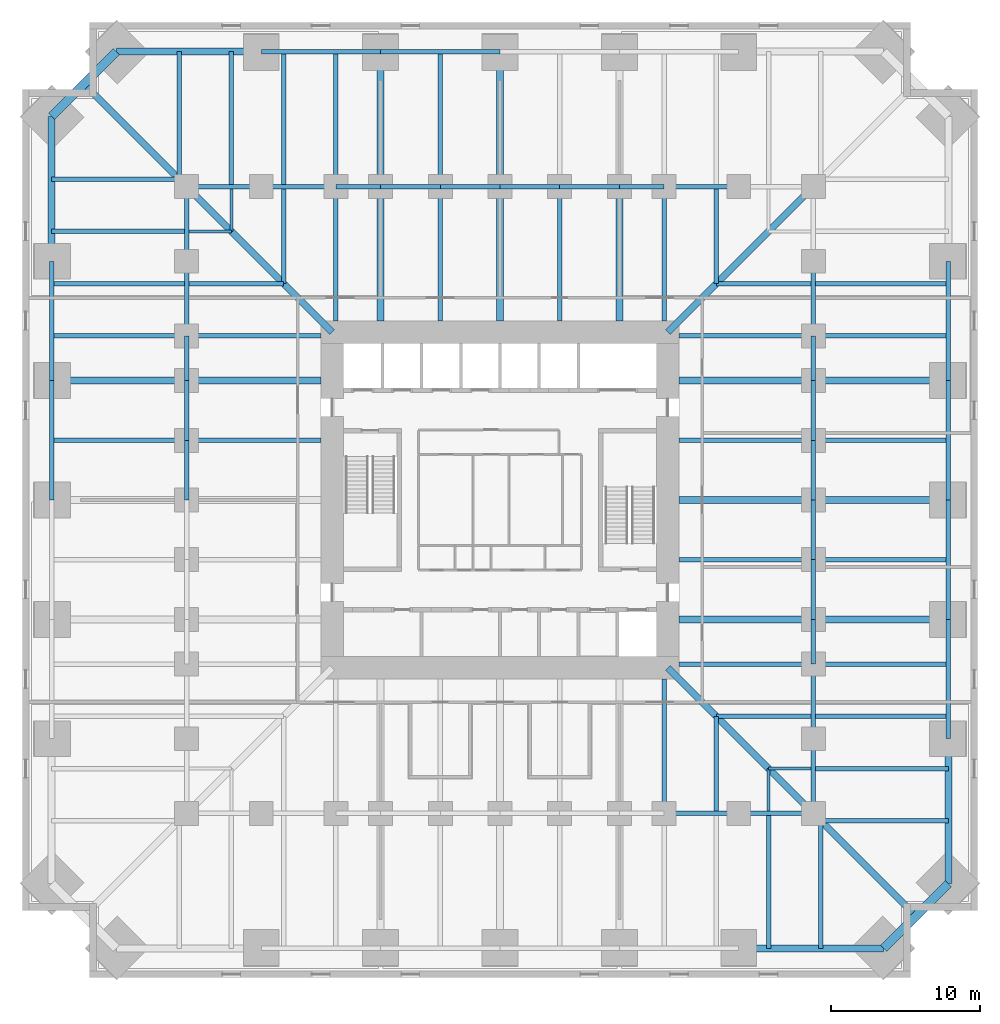
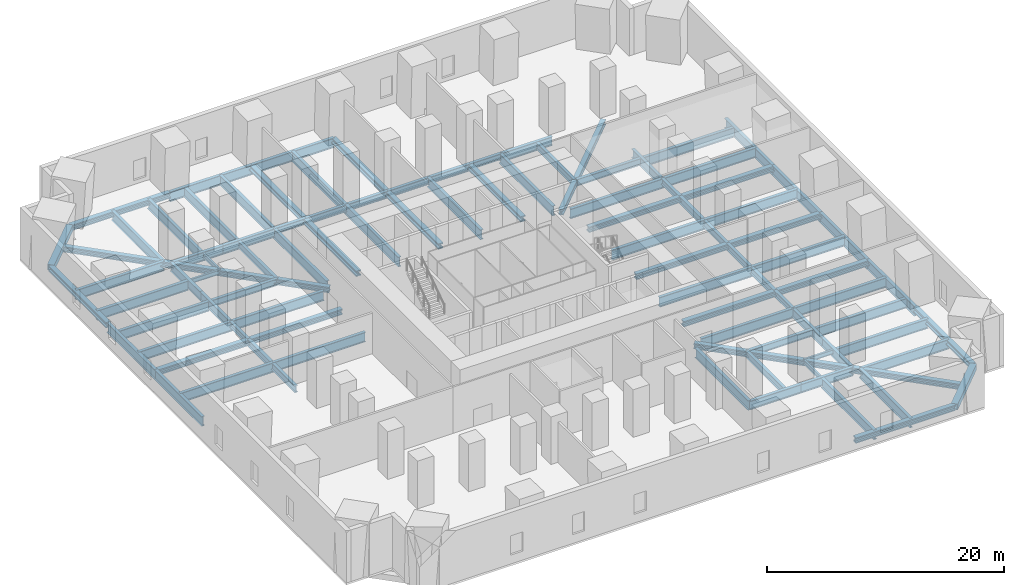
# One storey, part 2 of 8: 98 beams.
"""IFC4 building model written with IfcOpenShell, lengths in metres."""

from ifc_helpers import new_model, si_unit, direction, frame, origin, origin_2d, place, context, subcontext, project, spatial, hollow_rectangle, i_section, extrude, material, material_profile, profile_set, type_object, element, save


model = new_model("IFC4")

# Units and contexts
model_context = context("Model", 3, precision=1e-05, world=origin(), true_north=direction((0.0, 1.0)))
body_context = subcontext(model_context, "Body", "Model", "MODEL_VIEW")
ifc_project = project(units=[si_unit("LENGTHUNIT", "METRE"), si_unit("AREAUNIT", "SQUARE_METRE"), si_unit("VOLUMEUNIT", "CUBIC_METRE"), si_unit("PLANEANGLEUNIT", "RADIAN"), si_unit("MASSUNIT", "GRAM", prefix="KILO")], contexts=[model_context])

# Site, building, storey
site_placement = place(None, origin())
site = spatial("IfcSite", under=ifc_project, at=site_placement, CompositionType="ELEMENT")
building_placement = place(site_placement, origin())
building = spatial("IfcBuilding", under=site, at=building_placement, Name="Peilmerk Tower", CompositionType="ELEMENT")
storey_placement = place(building_placement, frame((0.0, 0.0, 21.0)))
storey = spatial("IfcBuildingStorey", under=building, at=storey_placement, Name="L04", CompositionType="ELEMENT", Elevation=21.0)

# Beams
ifc_material_1 = material(Name="Steel S355", Category="steel")
ifc_material_profile_1 = material_profile(ifc_material_1, i_section(OverallWidth=0.302001953125, OverallDepth=1.008056640625, WebThickness=0.02099609375, FlangeThickness=0.0400390625, at=origin_2d()), Name="HEM 1000")
ifc_profile_set_1 = profile_set([ifc_material_profile_1], Name="Steel S355")
beam_type_1 = type_object("IfcBeamType", Name="B1 HEM 1000 edge beam", PredefinedType="SPANDREL", material=ifc_profile_set_1)
for number, where, z_axis, x_axis, name in (
    (1, (0.0, 30.050048828125, -0.7041015625), (-1.0, 0.0, 0.0), (0.0, -1.0, 0.0), "Edge beam L04"),
    (2, (-8.0, 30.050048828125, -0.7041015625), (-1.0, 0.0, 0.0), (0.0, -1.0, 0.0), "Edge beam L04"),
    (3, (30.050048828125, -16.0, -0.7041015625), (0.0, 1.0, 0.0), (-1.0, 0.0, 0.0), "Edge beam L04"),
    (4, (30.050048828125, -8.0, -0.7041015625), (0.0, 1.0, 0.0), (-1.0, 0.0, 0.0), "Edge beam L04"),
    (5, (30.050048828125, 0.0, -0.7041015625), (0.0, 1.0, 0.0), (-1.0, 0.0, 0.0), "Edge beam L04"),
    (6, (30.050048828125, 8.0, -0.7041015625), (0.0, 1.0, 0.0), (-1.0, 0.0, 0.0), "Edge beam L04"),
    (7, (-30.050048828125, 16.0, -0.7041015625), (0.0, -1.0, 0.0), (1.0, 0.0, 0.0), "Edge beam L04"),
    (8, (-30.050048828125, 8.0, -0.7041015625), (0.0, -1.0, 0.0), (1.0, 0.0, 0.0), "Edge beam L04"),
):
    element("IfcBeam", number, at=place(storey_placement, frame(where, z_axis=z_axis, x_axis=x_axis)), inside=storey, type_object=beam_type_1, Name=name, PredefinedType="SPANDREL", context=body_context, shape_type="SweptSolid", body=[
        extrude(i_section(OverallWidth=0.302001953125, OverallDepth=1.008056640625, WebThickness=0.02099609375, FlangeThickness=0.0400390625, at=origin_2d()), origin(), (0.0, 0.0, 1.0), 8.0),
    ])
ifc_material_profile_2 = material_profile(ifc_material_1, i_section(OverallWidth=0.300048828125, OverallDepth=0.989990234375, WebThickness=0.0166015625, FlangeThickness=0.031005859375, at=origin_2d()), Name="HEA 1000")
ifc_profile_set_2 = profile_set([ifc_material_profile_2], Name="Steel S355")
beam_type_2 = type_object("IfcBeamType", Name="B14 HEA 1000 floor girder", PredefinedType="BEAM", material=ifc_profile_set_2)
for number, where, z_axis, x_axis, name in (
    (9, (21.15087890625, 14.5, -0.695068359375), (1.0, 0.0, 0.0), (0.0, 1.0, 0.0), "Floor beam L04"),
    (10, (21.15087890625, -14.5, -0.695068359375), (1.0, 0.0, 0.0), (0.0, 1.0, 0.0), "Floor beam L04"),
    (11, (18.0, -21.15087890625, -0.695068359375), (0.0, -1.0, 0.0), (1.0, 0.0, 0.0), "Floor beam L04"),
    (12, (21.15087890625, -18.0, -0.695068359375), (1.0, 0.0, 0.0), (0.0, 1.0, 0.0), "Floor beam L04"),
):
    element("IfcBeam", number, at=place(storey_placement, frame(where, z_axis=z_axis, x_axis=x_axis)), inside=storey, type_object=beam_type_2, Name=name, PredefinedType="BEAM", context=body_context, shape_type="SweptSolid", body=[
        extrude(i_section(OverallWidth=0.300048828125, OverallDepth=0.989990234375, WebThickness=0.0166015625, FlangeThickness=0.031005859375, at=origin_2d()), origin(), (0.0, 0.0, 1.0), 8.899169921875),
    ])
for number, where, z_axis, x_axis, name in (
    (13, (21.5, -21.5, -0.695068359375), (0.0, -1.0, 0.0), (1.0, 0.0, 0.0), "Floor beam L04"),
    (14, (21.5, -21.5, -0.695068359375), (1.0, 0.0, 0.0), (0.0, 1.0, 0.0), "Floor beam L04"),
):
    element("IfcBeam", number, at=place(storey_placement, frame(where, z_axis=z_axis, x_axis=x_axis)), inside=storey, type_object=beam_type_2, Name=name, PredefinedType="BEAM", context=body_context, shape_type="SweptSolid", body=[
        extrude(i_section(OverallWidth=0.300048828125, OverallDepth=0.989990234375, WebThickness=0.0166015625, FlangeThickness=0.031005859375, at=origin_2d()), origin(), (0.0, 0.0, 1.0), 8.550048828125),
    ])
for number, where, z_axis, x_axis, name in (
    (15, (-14.5, 21.15087890625, -0.695068359375), (0.0, 1.0, 0.0), (-1.0, 0.0, 0.0), "Floor beam L04"),
    (16, (-21.15087890625, 14.5, -0.695068359375), (-1.0, 0.0, 0.0), (0.0, -1.0, 0.0), "Floor beam L04"),
    (17, (-18.0, 21.15087890625, -0.695068359375), (0.0, 1.0, 0.0), (-1.0, 0.0, 0.0), "Floor beam L04"),
    (18, (-21.15087890625, 18.0, -0.695068359375), (-1.0, 0.0, 0.0), (0.0, -1.0, 0.0), "Floor beam L04"),
):
    element("IfcBeam", number, at=place(storey_placement, frame(where, z_axis=z_axis, x_axis=x_axis)), inside=storey, type_object=beam_type_2, Name=name, PredefinedType="BEAM", context=body_context, shape_type="SweptSolid", body=[
        extrude(i_section(OverallWidth=0.300048828125, OverallDepth=0.989990234375, WebThickness=0.0166015625, FlangeThickness=0.031005859375, at=origin_2d()), origin(), (0.0, 0.0, 1.0), 8.899169921875),
    ])
for number, where, z_axis, x_axis, name in (
    (19, (-21.5, 21.5, -0.695068359375), (0.0, 1.0, 0.0), (-1.0, 0.0, 0.0), "Floor beam L04"),
    (20, (-21.5, 21.5, -0.695068359375), (-1.0, 0.0, 0.0), (0.0, -1.0, 0.0), "Floor beam L04"),
):
    element("IfcBeam", number, at=place(storey_placement, frame(where, z_axis=z_axis, x_axis=x_axis)), inside=storey, type_object=beam_type_2, Name=name, PredefinedType="BEAM", context=body_context, shape_type="SweptSolid", body=[
        extrude(i_section(OverallWidth=0.300048828125, OverallDepth=0.989990234375, WebThickness=0.0166015625, FlangeThickness=0.031005859375, at=origin_2d()), origin(), (0.0, 0.0, 1.0), 8.550048828125),
    ])
ifc_material_profile_3 = material_profile(ifc_material_1, i_section(OverallWidth=0.300048828125, OverallDepth=0.68994140625, WebThickness=0.014404296875, FlangeThickness=0.027099609375, at=origin_2d()), Name="HEA 700")
ifc_profile_set_3 = profile_set([ifc_material_profile_3], Name="Steel S355")
beam_type_3 = type_object("IfcBeamType", Name="B16 HEA 700 floor beam", PredefinedType="BEAM", material=ifc_profile_set_3)
for number, where, z_axis, x_axis, name in (
    (21, (14.5, 14.5, -0.544921875), (0.0, 1.0, 0.0), (-1.0, 0.0, 0.0), "Floor beam L04"),
    (22, (14.5, 14.5, -0.544921875), (1.0, 0.0, 0.0), (0.0, 1.0, 0.0), "Floor beam L04"),
    (23, (14.5, -14.5, -0.544921875), (0.0, -1.0, 0.0), (1.0, 0.0, 0.0), "Floor beam L04"),
    (24, (14.5, -14.5, -0.544921875), (1.0, 0.0, 0.0), (0.0, 1.0, 0.0), "Floor beam L04"),
    (25, (-14.5, 14.5, -0.544921875), (0.0, 1.0, 0.0), (-1.0, 0.0, 0.0), "Floor beam L04"),
    (26, (-14.5, 14.5, -0.544921875), (-1.0, 0.0, 0.0), (0.0, -1.0, 0.0), "Floor beam L04"),
):
    element("IfcBeam", number, at=place(storey_placement, frame(where, z_axis=z_axis, x_axis=x_axis)), inside=storey, type_object=beam_type_3, Name=name, PredefinedType="BEAM", context=body_context, shape_type="SweptSolid", body=[
        extrude(i_section(OverallWidth=0.300048828125, OverallDepth=0.68994140625, WebThickness=0.014404296875, FlangeThickness=0.027099609375, at=origin_2d()), origin(), (0.0, 0.0, 1.0), 6.34912109375),
    ])
ifc_material_2 = material(Name="Steel S460", Category="steel")
ifc_material_profile_4 = material_profile(ifc_material_2, i_section(OverallWidth=0.4541015625, OverallDepth=0.569091796875, WebThickness=0.077880859375, FlangeThickness=0.125, at=origin_2d()), Name="HD 400x1086")
ifc_profile_set_4 = profile_set([ifc_material_profile_4], Name="Steel S460")
beam_type_4 = type_object("IfcBeamType", Name="B17 HD 400x1086 edge beam", PredefinedType="SPANDREL", material=ifc_profile_set_4)
for number, where, z_axis, x_axis, name in (
    (27, (-16.0, 30.050048828125, -0.484619140625), (-1.0, 0.0, 0.0), (0.0, -1.0, 0.0), "Edge beam L04"),
    (28, (30.050048828125, -25.699951171875, -0.484619140625), (0.0, 1.0, 0.0), (-1.0, 0.0, 0.0), "Edge beam L04"),
    (29, (16.0, -30.050048828125, -0.484619140625), (1.0, 0.0, 0.0), (0.0, 1.0, 0.0), "Edge beam L04"),
    (30, (-30.050048828125, 25.699951171875, -0.484619140625), (0.0, -1.0, 0.0), (1.0, 0.0, 0.0), "Edge beam L04"),
):
    element("IfcBeam", number, at=place(storey_placement, frame(where, z_axis=z_axis, x_axis=x_axis)), inside=storey, type_object=beam_type_4, Name=name, PredefinedType="SPANDREL", context=body_context, shape_type="SweptSolid", body=[
        extrude(i_section(OverallWidth=0.4541015625, OverallDepth=0.569091796875, WebThickness=0.077880859375, FlangeThickness=0.125, at=origin_2d()), origin(), (0.0, 0.0, 1.0), 9.699951171875),
    ])
ifc_material_profile_5 = material_profile(ifc_material_1, i_section(OverallWidth=0.302001953125, OverallDepth=0.909912109375, WebThickness=0.02099609375, FlangeThickness=0.0400390625, at=origin_2d()), Name="HEM 900")
ifc_profile_set_5 = profile_set([ifc_material_profile_5], Name="Steel S355")
beam_type_5 = type_object("IfcBeamType", Name="B18 HEM 900 ring girder", PredefinedType="BEAM", material=ifc_profile_set_5)
for number, where, z_axis, x_axis, name in (
    (31, (16.0, 21.0, -0.655029296875), (-1.0, 0.0, 0.0), (0.0, -1.0, 0.0), "Ring girder L04"),
    (32, (-11.0, 21.0, -0.655029296875), (-1.0, 0.0, 0.0), (0.0, -1.0, 0.0), "Ring girder L04"),
    (33, (-16.0, 21.0, -0.655029296875), (-1.0, 0.0, 0.0), (0.0, -1.0, 0.0), "Ring girder L04"),
    (34, (21.0, -21.0, -0.655029296875), (0.0, 1.0, 0.0), (-1.0, 0.0, 0.0), "Ring girder L04"),
    (35, (21.0, -16.0, -0.655029296875), (0.0, 1.0, 0.0), (-1.0, 0.0, 0.0), "Ring girder L04"),
    (36, (21.0, 11.0, -0.655029296875), (0.0, 1.0, 0.0), (-1.0, 0.0, 0.0), "Ring girder L04"),
    (37, (11.0, -21.0, -0.655029296875), (1.0, 0.0, 0.0), (0.0, 1.0, 0.0), "Ring girder L04"),
    (38, (16.0, -21.0, -0.655029296875), (1.0, 0.0, 0.0), (0.0, 1.0, 0.0), "Ring girder L04"),
    (39, (-21.0, 21.0, -0.655029296875), (0.0, -1.0, 0.0), (1.0, 0.0, 0.0), "Ring girder L04"),
    (40, (-21.0, 16.0, -0.655029296875), (0.0, -1.0, 0.0), (1.0, 0.0, 0.0), "Ring girder L04"),
):
    element("IfcBeam", number, at=place(storey_placement, frame(where, z_axis=z_axis, x_axis=x_axis)), inside=storey, type_object=beam_type_5, Name=name, PredefinedType="BEAM", context=body_context, shape_type="SweptSolid", body=[
        extrude(i_section(OverallWidth=0.302001953125, OverallDepth=0.909912109375, WebThickness=0.02099609375, FlangeThickness=0.0400390625, at=origin_2d()), origin(), (0.0, 0.0, 1.0), 5.0),
    ])
ifc_material_profile_6 = material_profile(ifc_material_1, i_section(OverallWidth=0.303955078125, OverallDepth=0.716064453125, WebThickness=0.02099609375, FlangeThickness=0.0400390625, at=origin_2d()), Name="HEM 700")
ifc_profile_set_6 = profile_set([ifc_material_profile_6], Name="Steel S355")
beam_type_6 = type_object("IfcBeamType", Name="B19 HEM 700 ring girder", PredefinedType="BEAM", material=ifc_profile_set_6)
for number, where, z_axis, x_axis, name in (
    (41, (8.0, 21.0, -0.55810546875), (-1.0, 0.0, 0.0), (0.0, -1.0, 0.0), "Ring girder L04"),
    (42, (4.0, 21.0, -0.55810546875), (-1.0, 0.0, 0.0), (0.0, -1.0, 0.0), "Ring girder L04"),
    (43, (0.0, 21.0, -0.55810546875), (-1.0, 0.0, 0.0), (0.0, -1.0, 0.0), "Ring girder L04"),
    (44, (-4.0, 21.0, -0.55810546875), (-1.0, 0.0, 0.0), (0.0, -1.0, 0.0), "Ring girder L04"),
    (45, (21.0, -8.0, -0.55810546875), (0.0, 1.0, 0.0), (-1.0, 0.0, 0.0), "Ring girder L04"),
    (46, (21.0, -4.0, -0.55810546875), (0.0, 1.0, 0.0), (-1.0, 0.0, 0.0), "Ring girder L04"),
    (47, (21.0, 0.0, -0.55810546875), (0.0, 1.0, 0.0), (-1.0, 0.0, 0.0), "Ring girder L04"),
    (48, (21.0, 4.0, -0.55810546875), (0.0, 1.0, 0.0), (-1.0, 0.0, 0.0), "Ring girder L04"),
    (49, (-21.0, 8.0, -0.55810546875), (0.0, -1.0, 0.0), (1.0, 0.0, 0.0), "Ring girder L04"),
    (50, (-21.0, 4.0, -0.55810546875), (0.0, -1.0, 0.0), (1.0, 0.0, 0.0), "Ring girder L04"),
):
    element("IfcBeam", number, at=place(storey_placement, frame(where, z_axis=z_axis, x_axis=x_axis)), inside=storey, type_object=beam_type_6, Name=name, PredefinedType="BEAM", context=body_context, shape_type="SweptSolid", body=[
        extrude(i_section(OverallWidth=0.303955078125, OverallDepth=0.716064453125, WebThickness=0.02099609375, FlangeThickness=0.0400390625, at=origin_2d()), origin(), (0.0, 0.0, 1.0), 4.0),
    ])
ifc_material_profile_7 = material_profile(ifc_material_2, hollow_rectangle(XDim=0.60009765625, YDim=0.60009765625, WallThickness=0.06005859375, at=origin_2d()), Name="BOX 600x600x60")
ifc_profile_set_7 = profile_set([ifc_material_profile_7], Name="Steel S460")
beam_type_7 = type_object("IfcBeamType", Name="B20 BOX 600x600x60 notch beam", PredefinedType="SPANDREL", material=ifc_profile_set_7)
for number, where, z_axis, x_axis, name in (
    (51, (30.050048828125, -25.699951171875, -0.5), (-0.707106781187, -0.707106781187, 0.0), (0.707106781187, -0.707106781187, 0.0), "Notch beam L04"),
    (52, (-30.050048828125, 25.699951171875, -0.5), (0.707106781187, 0.707106781187, 0.0), (-0.707106781187, 0.707106781187, 0.0), "Notch beam L04"),
):
    element("IfcBeam", number, at=place(storey_placement, frame(where, z_axis=z_axis, x_axis=x_axis)), inside=storey, type_object=beam_type_7, Name=name, PredefinedType="SPANDREL", context=body_context, shape_type="SweptSolid", body=[
        extrude(hollow_rectangle(XDim=0.60009765625, YDim=0.60009765625, WallThickness=0.06005859375, at=origin_2d()), origin(), (0.0, 0.0, 1.0), 6.15185546875),
    ])
ifc_material_profile_8 = material_profile(ifc_material_1, i_section(OverallWidth=0.18994140625, OverallDepth=0.449951171875, WebThickness=0.009521484375, FlangeThickness=0.0146484375, at=origin_2d()), Name="IPE 450")
ifc_profile_set_8 = profile_set([ifc_material_profile_8], Name="Steel S355")
beam_type_8 = type_object("IfcBeamType", Name="B21 IPE 450 floor beam", PredefinedType="BEAM", material=ifc_profile_set_8)
for number, where, z_axis, x_axis, name in (
    (53, (18.0, -18.0, -0.425048828125), (0.0, -1.0, 0.0), (1.0, 0.0, 0.0), "Floor beam L04"),
    (54, (18.0, -18.0, -0.425048828125), (1.0, 0.0, 0.0), (0.0, 1.0, 0.0), "Floor beam L04"),
    (55, (-18.0, 18.0, -0.425048828125), (0.0, 1.0, 0.0), (-1.0, 0.0, 0.0), "Floor beam L04"),
    (56, (-18.0, 18.0, -0.425048828125), (-1.0, 0.0, 0.0), (0.0, -1.0, 0.0), "Floor beam L04"),
):
    element("IfcBeam", number, at=place(storey_placement, frame(where, z_axis=z_axis, x_axis=x_axis)), inside=storey, type_object=beam_type_8, Name=name, PredefinedType="BEAM", context=body_context, shape_type="SweptSolid", body=[
        extrude(i_section(OverallWidth=0.18994140625, OverallDepth=0.449951171875, WebThickness=0.009521484375, FlangeThickness=0.0146484375, at=origin_2d()), origin(), (0.0, 0.0, 1.0), 2.84912109375),
    ])
ifc_material_profile_9 = material_profile(ifc_material_1, i_section(OverallWidth=0.300048828125, OverallDepth=1.0, WebThickness=0.01904296875, FlangeThickness=0.035888671875, at=origin_2d()), Name="HEB 1000")
ifc_profile_set_9 = profile_set([ifc_material_profile_9], Name="Steel S355")
beam_type_9 = type_object("IfcBeamType", Name="B5 HEB 1000 floor girder", PredefinedType="BEAM", material=ifc_profile_set_9)
for number, where, z_axis, x_axis, name in (
    (57, (11.0, 12.0, -0.699951171875), (0.0, 1.0, 0.0), (-1.0, 0.0, 0.0), "Floor beam L04"),
    (58, (4.0, 12.0, -0.699951171875), (0.0, 1.0, 0.0), (-1.0, 0.0, 0.0), "Floor beam L04"),
    (59, (-4.0, 12.0, -0.699951171875), (0.0, 1.0, 0.0), (-1.0, 0.0, 0.0), "Floor beam L04"),
):
    element("IfcBeam", number, at=place(storey_placement, frame(where, z_axis=z_axis, x_axis=x_axis)), inside=storey, type_object=beam_type_9, Name=name, PredefinedType="BEAM", context=body_context, shape_type="SweptSolid", body=[
        extrude(i_section(OverallWidth=0.300048828125, OverallDepth=1.0, WebThickness=0.01904296875, FlangeThickness=0.035888671875, at=origin_2d()), origin(), (0.0, 0.0, 1.0), 9.0),
    ])
beam_1_placement = place(storey_placement, frame((-4.0, 21.0, -0.699951171875), z_axis=(0.0, 1.0, 0.0), x_axis=(-1.0, 0.0, 0.0)))
element("IfcBeam", 60, at=beam_1_placement, inside=storey, type_object=beam_type_9, Name="Floor beam L04", PredefinedType="BEAM", context=body_context, shape_type="SweptSolid", body=[
    extrude(i_section(OverallWidth=0.300048828125, OverallDepth=1.0, WebThickness=0.01904296875, FlangeThickness=0.035888671875, at=origin_2d()), origin(), (0.0, 0.0, 1.0), 9.050048828125),
])
beam_2_placement = place(storey_placement, frame((-11.0, 12.0, -0.699951171875), z_axis=(0.0, 1.0, 0.0), x_axis=(-1.0, 0.0, 0.0)))
element("IfcBeam", 61, at=beam_2_placement, inside=storey, type_object=beam_type_9, Name="Floor beam L04", PredefinedType="BEAM", context=body_context, shape_type="SweptSolid", body=[
    extrude(i_section(OverallWidth=0.300048828125, OverallDepth=1.0, WebThickness=0.01904296875, FlangeThickness=0.035888671875, at=origin_2d()), origin(), (0.0, 0.0, 1.0), 9.0),
])
beam_3_placement = place(storey_placement, frame((-11.0, 21.0, -0.699951171875), z_axis=(0.0, 1.0, 0.0), x_axis=(-1.0, 0.0, 0.0)))
element("IfcBeam", 62, at=beam_3_placement, inside=storey, type_object=beam_type_9, Name="Floor beam L04", PredefinedType="BEAM", context=body_context, shape_type="SweptSolid", body=[
    extrude(i_section(OverallWidth=0.300048828125, OverallDepth=1.0, WebThickness=0.01904296875, FlangeThickness=0.035888671875, at=origin_2d()), origin(), (0.0, 0.0, 1.0), 9.050048828125),
])
beam_4_placement = place(storey_placement, frame((12.0, -11.0, -0.699951171875), z_axis=(1.0, 0.0, 0.0), x_axis=(0.0, 1.0, 0.0)))
element("IfcBeam", 63, at=beam_4_placement, inside=storey, type_object=beam_type_9, Name="Floor beam L04", PredefinedType="BEAM", context=body_context, shape_type="SweptSolid", body=[
    extrude(i_section(OverallWidth=0.300048828125, OverallDepth=1.0, WebThickness=0.01904296875, FlangeThickness=0.035888671875, at=origin_2d()), origin(), (0.0, 0.0, 1.0), 9.0),
])
beam_5_placement = place(storey_placement, frame((21.0, -11.0, -0.699951171875), z_axis=(1.0, 0.0, 0.0), x_axis=(0.0, 1.0, 0.0)))
element("IfcBeam", 64, at=beam_5_placement, inside=storey, type_object=beam_type_9, Name="Floor beam L04", PredefinedType="BEAM", context=body_context, shape_type="SweptSolid", body=[
    extrude(i_section(OverallWidth=0.300048828125, OverallDepth=1.0, WebThickness=0.01904296875, FlangeThickness=0.035888671875, at=origin_2d()), origin(), (0.0, 0.0, 1.0), 9.050048828125),
])
beam_6_placement = place(storey_placement, frame((12.0, -4.0, -0.699951171875), z_axis=(1.0, 0.0, 0.0), x_axis=(0.0, 1.0, 0.0)))
element("IfcBeam", 65, at=beam_6_placement, inside=storey, type_object=beam_type_9, Name="Floor beam L04", PredefinedType="BEAM", context=body_context, shape_type="SweptSolid", body=[
    extrude(i_section(OverallWidth=0.300048828125, OverallDepth=1.0, WebThickness=0.01904296875, FlangeThickness=0.035888671875, at=origin_2d()), origin(), (0.0, 0.0, 1.0), 9.0),
])
beam_7_placement = place(storey_placement, frame((21.0, -4.0, -0.699951171875), z_axis=(1.0, 0.0, 0.0), x_axis=(0.0, 1.0, 0.0)))
element("IfcBeam", 66, at=beam_7_placement, inside=storey, type_object=beam_type_9, Name="Floor beam L04", PredefinedType="BEAM", context=body_context, shape_type="SweptSolid", body=[
    extrude(i_section(OverallWidth=0.300048828125, OverallDepth=1.0, WebThickness=0.01904296875, FlangeThickness=0.035888671875, at=origin_2d()), origin(), (0.0, 0.0, 1.0), 9.050048828125),
])
beam_8_placement = place(storey_placement, frame((12.0, 4.0, -0.699951171875), z_axis=(1.0, 0.0, 0.0), x_axis=(0.0, 1.0, 0.0)))
element("IfcBeam", 67, at=beam_8_placement, inside=storey, type_object=beam_type_9, Name="Floor beam L04", PredefinedType="BEAM", context=body_context, shape_type="SweptSolid", body=[
    extrude(i_section(OverallWidth=0.300048828125, OverallDepth=1.0, WebThickness=0.01904296875, FlangeThickness=0.035888671875, at=origin_2d()), origin(), (0.0, 0.0, 1.0), 9.0),
])
beam_9_placement = place(storey_placement, frame((21.0, 4.0, -0.699951171875), z_axis=(1.0, 0.0, 0.0), x_axis=(0.0, 1.0, 0.0)))
element("IfcBeam", 68, at=beam_9_placement, inside=storey, type_object=beam_type_9, Name="Floor beam L04", PredefinedType="BEAM", context=body_context, shape_type="SweptSolid", body=[
    extrude(i_section(OverallWidth=0.300048828125, OverallDepth=1.0, WebThickness=0.01904296875, FlangeThickness=0.035888671875, at=origin_2d()), origin(), (0.0, 0.0, 1.0), 9.050048828125),
])
beam_10_placement = place(storey_placement, frame((12.0, 11.0, -0.699951171875), z_axis=(1.0, 0.0, 0.0), x_axis=(0.0, 1.0, 0.0)))
element("IfcBeam", 69, at=beam_10_placement, inside=storey, type_object=beam_type_9, Name="Floor beam L04", PredefinedType="BEAM", context=body_context, shape_type="SweptSolid", body=[
    extrude(i_section(OverallWidth=0.300048828125, OverallDepth=1.0, WebThickness=0.01904296875, FlangeThickness=0.035888671875, at=origin_2d()), origin(), (0.0, 0.0, 1.0), 9.0),
])
beam_11_placement = place(storey_placement, frame((21.0, 11.0, -0.699951171875), z_axis=(1.0, 0.0, 0.0), x_axis=(0.0, 1.0, 0.0)))
element("IfcBeam", 70, at=beam_11_placement, inside=storey, type_object=beam_type_9, Name="Floor beam L04", PredefinedType="BEAM", context=body_context, shape_type="SweptSolid", body=[
    extrude(i_section(OverallWidth=0.300048828125, OverallDepth=1.0, WebThickness=0.01904296875, FlangeThickness=0.035888671875, at=origin_2d()), origin(), (0.0, 0.0, 1.0), 9.050048828125),
])
for number, where, z_axis, x_axis, name in (
    (71, (11.0, -12.0, -0.699951171875), (0.0, -1.0, 0.0), (1.0, 0.0, 0.0), "Floor beam L04"),
    (72, (-12.0, 11.0, -0.699951171875), (-1.0, 0.0, 0.0), (0.0, -1.0, 0.0), "Floor beam L04"),
):
    element("IfcBeam", number, at=place(storey_placement, frame(where, z_axis=z_axis, x_axis=x_axis)), inside=storey, type_object=beam_type_9, Name=name, PredefinedType="BEAM", context=body_context, shape_type="SweptSolid", body=[
        extrude(i_section(OverallWidth=0.300048828125, OverallDepth=1.0, WebThickness=0.01904296875, FlangeThickness=0.035888671875, at=origin_2d()), origin(), (0.0, 0.0, 1.0), 9.0),
    ])
beam_12_placement = place(storey_placement, frame((-21.0, 11.0, -0.699951171875), z_axis=(-1.0, 0.0, 0.0), x_axis=(0.0, -1.0, 0.0)))
element("IfcBeam", 73, at=beam_12_placement, inside=storey, type_object=beam_type_9, Name="Floor beam L04", PredefinedType="BEAM", context=body_context, shape_type="SweptSolid", body=[
    extrude(i_section(OverallWidth=0.300048828125, OverallDepth=1.0, WebThickness=0.01904296875, FlangeThickness=0.035888671875, at=origin_2d()), origin(), (0.0, 0.0, 1.0), 9.050048828125),
])
beam_13_placement = place(storey_placement, frame((-12.0, 4.0, -0.699951171875), z_axis=(-1.0, 0.0, 0.0), x_axis=(0.0, -1.0, 0.0)))
element("IfcBeam", 74, at=beam_13_placement, inside=storey, type_object=beam_type_9, Name="Floor beam L04", PredefinedType="BEAM", context=body_context, shape_type="SweptSolid", body=[
    extrude(i_section(OverallWidth=0.300048828125, OverallDepth=1.0, WebThickness=0.01904296875, FlangeThickness=0.035888671875, at=origin_2d()), origin(), (0.0, 0.0, 1.0), 9.0),
])
beam_14_placement = place(storey_placement, frame((-21.0, 4.0, -0.699951171875), z_axis=(-1.0, 0.0, 0.0), x_axis=(0.0, -1.0, 0.0)))
element("IfcBeam", 75, at=beam_14_placement, inside=storey, type_object=beam_type_9, Name="Floor beam L04", PredefinedType="BEAM", context=body_context, shape_type="SweptSolid", body=[
    extrude(i_section(OverallWidth=0.300048828125, OverallDepth=1.0, WebThickness=0.01904296875, FlangeThickness=0.035888671875, at=origin_2d()), origin(), (0.0, 0.0, 1.0), 9.050048828125),
])
ifc_material_profile_10 = material_profile(ifc_material_1, i_section(OverallWidth=0.304931640625, OverallDepth=0.6201171875, WebThickness=0.02099609375, FlangeThickness=0.0400390625, at=origin_2d()), Name="HEM 600")
ifc_profile_set_10 = profile_set([ifc_material_profile_10], Name="Steel S355")
beam_type_10 = type_object("IfcBeamType", Name="B6 HEM 600 ring girder", PredefinedType="BEAM", material=ifc_profile_set_10)
for number, where, z_axis, x_axis, name in (
    (76, (11.0, 21.0, -0.510009765625), (-1.0, 0.0, 0.0), (0.0, -1.0, 0.0), "Ring girder L04"),
    (77, (-8.0, 21.0, -0.510009765625), (-1.0, 0.0, 0.0), (0.0, -1.0, 0.0), "Ring girder L04"),
    (78, (21.0, -11.0, -0.510009765625), (0.0, 1.0, 0.0), (-1.0, 0.0, 0.0), "Ring girder L04"),
    (79, (21.0, 8.0, -0.510009765625), (0.0, 1.0, 0.0), (-1.0, 0.0, 0.0), "Ring girder L04"),
    (80, (-21.0, 11.0, -0.510009765625), (0.0, -1.0, 0.0), (1.0, 0.0, 0.0), "Ring girder L04"),
):
    element("IfcBeam", number, at=place(storey_placement, frame(where, z_axis=z_axis, x_axis=x_axis)), inside=storey, type_object=beam_type_10, Name=name, PredefinedType="BEAM", context=body_context, shape_type="SweptSolid", body=[
        extrude(i_section(OverallWidth=0.304931640625, OverallDepth=0.6201171875, WebThickness=0.02099609375, FlangeThickness=0.0400390625, at=origin_2d()), origin(), (0.0, 0.0, 1.0), 3.0),
    ])
ifc_material_profile_11 = material_profile(ifc_material_2, i_section(OverallWidth=0.4541015625, OverallDepth=0.569091796875, WebThickness=0.077880859375, FlangeThickness=0.125, at=origin_2d()), Name="HD 400x1086")
ifc_profile_set_11 = profile_set([ifc_material_profile_11], Name="Steel S460")
beam_type_11 = type_object("IfcBeamType", Name="B9 HD 400x1086 corner girder", PredefinedType="BEAM", material=ifc_profile_set_11)
for number, where, z_axis, x_axis, name in (
    (81, (8.0, 12.0, -0.484619140625), (0.0, 1.0, 0.0), (-1.0, 0.0, 0.0), "Floor girder L04"),
    (82, (0.0, 12.0, -0.484619140625), (0.0, 1.0, 0.0), (-1.0, 0.0, 0.0), "Floor girder L04"),
):
    element("IfcBeam", number, at=place(storey_placement, frame(where, z_axis=z_axis, x_axis=x_axis)), inside=storey, type_object=beam_type_11, Name=name, PredefinedType="BEAM", context=body_context, shape_type="SweptSolid", body=[
        extrude(i_section(OverallWidth=0.4541015625, OverallDepth=0.569091796875, WebThickness=0.077880859375, FlangeThickness=0.125, at=origin_2d()), origin(), (0.0, 0.0, 1.0), 9.0),
    ])
beam_15_placement = place(storey_placement, frame((0.0, 21.0, -0.484619140625), z_axis=(0.0, 1.0, 0.0), x_axis=(-1.0, 0.0, 0.0)))
element("IfcBeam", 83, at=beam_15_placement, inside=storey, type_object=beam_type_11, Name="Floor girder L04", PredefinedType="BEAM", context=body_context, shape_type="SweptSolid", body=[
    extrude(i_section(OverallWidth=0.4541015625, OverallDepth=0.569091796875, WebThickness=0.077880859375, FlangeThickness=0.125, at=origin_2d()), origin(), (0.0, 0.0, 1.0), 9.050048828125),
])
beam_16_placement = place(storey_placement, frame((-8.0, 12.0, -0.484619140625), z_axis=(0.0, 1.0, 0.0), x_axis=(-1.0, 0.0, 0.0)))
element("IfcBeam", 84, at=beam_16_placement, inside=storey, type_object=beam_type_11, Name="Floor girder L04", PredefinedType="BEAM", context=body_context, shape_type="SweptSolid", body=[
    extrude(i_section(OverallWidth=0.4541015625, OverallDepth=0.569091796875, WebThickness=0.077880859375, FlangeThickness=0.125, at=origin_2d()), origin(), (0.0, 0.0, 1.0), 9.0),
])
beam_17_placement = place(storey_placement, frame((-8.0, 21.0, -0.484619140625), z_axis=(0.0, 1.0, 0.0), x_axis=(-1.0, 0.0, 0.0)))
element("IfcBeam", 85, at=beam_17_placement, inside=storey, type_object=beam_type_11, Name="Floor girder L04", PredefinedType="BEAM", context=body_context, shape_type="SweptSolid", body=[
    extrude(i_section(OverallWidth=0.4541015625, OverallDepth=0.569091796875, WebThickness=0.077880859375, FlangeThickness=0.125, at=origin_2d()), origin(), (0.0, 0.0, 1.0), 9.050048828125),
])
beam_18_placement = place(storey_placement, frame((12.0, -8.0, -0.484619140625), z_axis=(1.0, 0.0, 0.0), x_axis=(0.0, 1.0, 0.0)))
element("IfcBeam", 86, at=beam_18_placement, inside=storey, type_object=beam_type_11, Name="Floor girder L04", PredefinedType="BEAM", context=body_context, shape_type="SweptSolid", body=[
    extrude(i_section(OverallWidth=0.4541015625, OverallDepth=0.569091796875, WebThickness=0.077880859375, FlangeThickness=0.125, at=origin_2d()), origin(), (0.0, 0.0, 1.0), 9.0),
])
beam_19_placement = place(storey_placement, frame((21.0, -8.0, -0.484619140625), z_axis=(1.0, 0.0, 0.0), x_axis=(0.0, 1.0, 0.0)))
element("IfcBeam", 87, at=beam_19_placement, inside=storey, type_object=beam_type_11, Name="Floor girder L04", PredefinedType="BEAM", context=body_context, shape_type="SweptSolid", body=[
    extrude(i_section(OverallWidth=0.4541015625, OverallDepth=0.569091796875, WebThickness=0.077880859375, FlangeThickness=0.125, at=origin_2d()), origin(), (0.0, 0.0, 1.0), 9.050048828125),
])
beam_20_placement = place(storey_placement, frame((12.0, 0.0, -0.484619140625), z_axis=(1.0, 0.0, 0.0), x_axis=(0.0, 1.0, 0.0)))
element("IfcBeam", 88, at=beam_20_placement, inside=storey, type_object=beam_type_11, Name="Floor girder L04", PredefinedType="BEAM", context=body_context, shape_type="SweptSolid", body=[
    extrude(i_section(OverallWidth=0.4541015625, OverallDepth=0.569091796875, WebThickness=0.077880859375, FlangeThickness=0.125, at=origin_2d()), origin(), (0.0, 0.0, 1.0), 9.0),
])
beam_21_placement = place(storey_placement, frame((21.0, 0.0, -0.484619140625), z_axis=(1.0, 0.0, 0.0), x_axis=(0.0, 1.0, 0.0)))
element("IfcBeam", 89, at=beam_21_placement, inside=storey, type_object=beam_type_11, Name="Floor girder L04", PredefinedType="BEAM", context=body_context, shape_type="SweptSolid", body=[
    extrude(i_section(OverallWidth=0.4541015625, OverallDepth=0.569091796875, WebThickness=0.077880859375, FlangeThickness=0.125, at=origin_2d()), origin(), (0.0, 0.0, 1.0), 9.050048828125),
])
beam_22_placement = place(storey_placement, frame((12.0, 8.0, -0.484619140625), z_axis=(1.0, 0.0, 0.0), x_axis=(0.0, 1.0, 0.0)))
element("IfcBeam", 90, at=beam_22_placement, inside=storey, type_object=beam_type_11, Name="Floor girder L04", PredefinedType="BEAM", context=body_context, shape_type="SweptSolid", body=[
    extrude(i_section(OverallWidth=0.4541015625, OverallDepth=0.569091796875, WebThickness=0.077880859375, FlangeThickness=0.125, at=origin_2d()), origin(), (0.0, 0.0, 1.0), 9.0),
])
beam_23_placement = place(storey_placement, frame((21.0, 8.0, -0.484619140625), z_axis=(1.0, 0.0, 0.0), x_axis=(0.0, 1.0, 0.0)))
element("IfcBeam", 91, at=beam_23_placement, inside=storey, type_object=beam_type_11, Name="Floor girder L04", PredefinedType="BEAM", context=body_context, shape_type="SweptSolid", body=[
    extrude(i_section(OverallWidth=0.4541015625, OverallDepth=0.569091796875, WebThickness=0.077880859375, FlangeThickness=0.125, at=origin_2d()), origin(), (0.0, 0.0, 1.0), 9.050048828125),
])
beam_24_placement = place(storey_placement, frame((-12.0, 8.0, -0.484619140625), z_axis=(-1.0, 0.0, 0.0), x_axis=(0.0, -1.0, 0.0)))
element("IfcBeam", 92, at=beam_24_placement, inside=storey, type_object=beam_type_11, Name="Floor girder L04", PredefinedType="BEAM", context=body_context, shape_type="SweptSolid", body=[
    extrude(i_section(OverallWidth=0.4541015625, OverallDepth=0.569091796875, WebThickness=0.077880859375, FlangeThickness=0.125, at=origin_2d()), origin(), (0.0, 0.0, 1.0), 9.0),
])
beam_25_placement = place(storey_placement, frame((-21.0, 8.0, -0.484619140625), z_axis=(-1.0, 0.0, 0.0), x_axis=(0.0, -1.0, 0.0)))
element("IfcBeam", 93, at=beam_25_placement, inside=storey, type_object=beam_type_11, Name="Floor girder L04", PredefinedType="BEAM", context=body_context, shape_type="SweptSolid", body=[
    extrude(i_section(OverallWidth=0.4541015625, OverallDepth=0.569091796875, WebThickness=0.077880859375, FlangeThickness=0.125, at=origin_2d()), origin(), (0.0, 0.0, 1.0), 9.050048828125),
])
for number, where, z_axis, x_axis, name in (
    (94, (11.25, 11.25, -0.484619140625), (0.707106781187, 0.707106781187, 0.0), (-0.707106781187, 0.707106781187, 0.0), "Corner girder L04"),
    (95, (11.25, -11.25, -0.484619140625), (0.707106781187, -0.707106781187, 0.0), (0.707106781187, 0.707106781187, 0.0), "Corner girder L04"),
):
    element("IfcBeam", number, at=place(storey_placement, frame(where, z_axis=z_axis, x_axis=x_axis)), inside=storey, type_object=beam_type_11, Name=name, PredefinedType="BEAM", context=body_context, shape_type="SweptSolid", body=[
        extrude(i_section(OverallWidth=0.4541015625, OverallDepth=0.569091796875, WebThickness=0.077880859375, FlangeThickness=0.125, at=origin_2d()), origin(), (0.0, 0.0, 1.0), 13.78857421875),
    ])
beam_26_placement = place(storey_placement, frame((21.0, -21.0, -0.484619140625), z_axis=(0.707106781187, -0.707106781187, 0.0), x_axis=(0.707106781187, 0.707106781187, 0.0)))
element("IfcBeam", 96, at=beam_26_placement, inside=storey, type_object=beam_type_11, Name="Corner girder L04", PredefinedType="BEAM", context=body_context, shape_type="SweptSolid", body=[
    extrude(i_section(OverallWidth=0.4541015625, OverallDepth=0.569091796875, WebThickness=0.077880859375, FlangeThickness=0.125, at=origin_2d()), origin(), (0.0, 0.0, 1.0), 9.72265625),
])
beam_27_placement = place(storey_placement, frame((-11.25, 11.25, -0.484619140625), z_axis=(-0.707106781187, 0.707106781187, 0.0), x_axis=(-0.707106781187, -0.707106781187, 0.0)))
element("IfcBeam", 97, at=beam_27_placement, inside=storey, type_object=beam_type_11, Name="Corner girder L04", PredefinedType="BEAM", context=body_context, shape_type="SweptSolid", body=[
    extrude(i_section(OverallWidth=0.4541015625, OverallDepth=0.569091796875, WebThickness=0.077880859375, FlangeThickness=0.125, at=origin_2d()), origin(), (0.0, 0.0, 1.0), 13.78857421875),
])
beam_28_placement = place(storey_placement, frame((-21.0, 21.0, -0.484619140625), z_axis=(-0.707106781187, 0.707106781187, 0.0), x_axis=(-0.707106781187, -0.707106781187, 0.0)))
element("IfcBeam", 98, at=beam_28_placement, inside=storey, type_object=beam_type_11, Name="Corner girder L04", PredefinedType="BEAM", context=body_context, shape_type="SweptSolid", body=[
    extrude(i_section(OverallWidth=0.4541015625, OverallDepth=0.569091796875, WebThickness=0.077880859375, FlangeThickness=0.125, at=origin_2d()), origin(), (0.0, 0.0, 1.0), 9.72265625),
])

save(model, "model.ifc")
